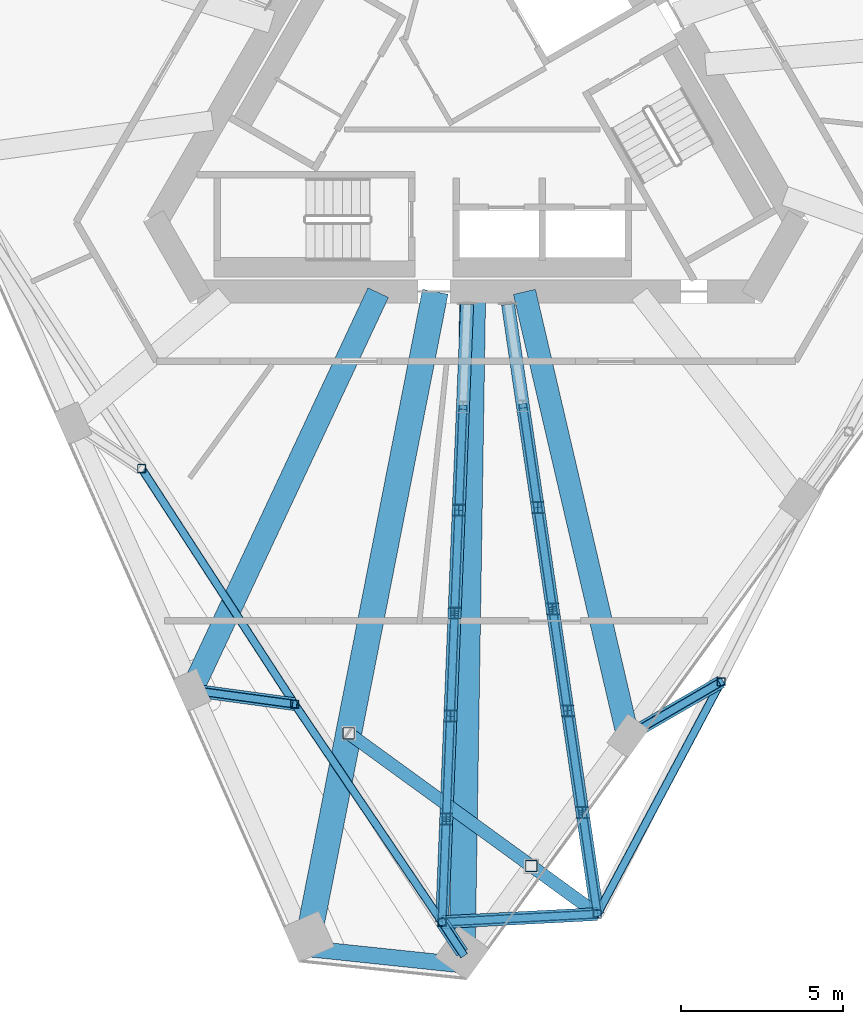
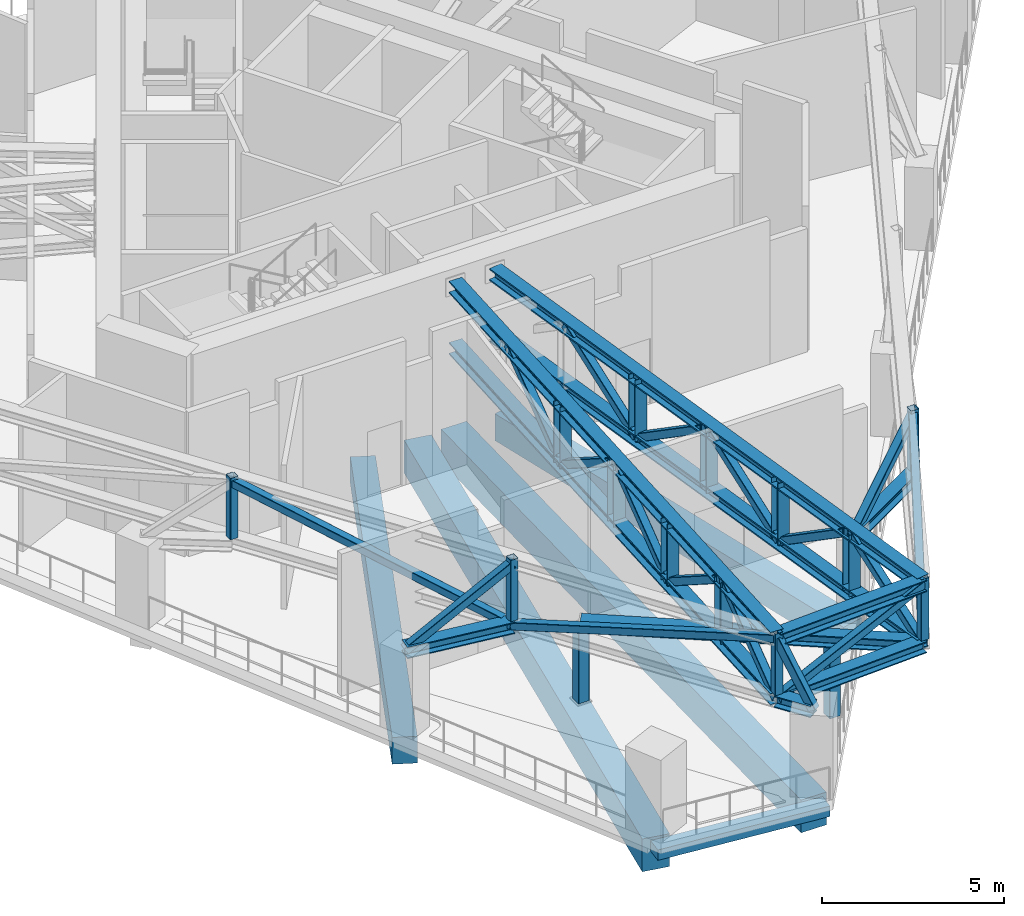
# One storey, part 2 of 20: 42 members, 5 beams.
"""IFC4 building model written with IfcOpenShell, lengths in metres."""

from ifc_helpers import new_model, si_unit, direction, frame, origin, origin_2d, place, context, subcontext, project, spatial, rectangle, hollow_rectangle, i_section, extrude, material, material_profile, profile_set, type_object, element, save


model = new_model("IFC4")

# Units and contexts
model_context = context("Model", 3, precision=1e-05, world=origin(), true_north=direction((0.0, 1.0)))
body_context = subcontext(model_context, "Body", "Model", "MODEL_VIEW")
ifc_project = project(units=[si_unit("LENGTHUNIT", "METRE"), si_unit("AREAUNIT", "SQUARE_METRE"), si_unit("VOLUMEUNIT", "CUBIC_METRE"), si_unit("PLANEANGLEUNIT", "RADIAN"), si_unit("MASSUNIT", "GRAM", prefix="KILO")], contexts=[model_context])

# Site, building, storey
site_placement = place(None, origin())
site = spatial("IfcSite", under=ifc_project, at=site_placement, CompositionType="ELEMENT")
building_placement = place(site_placement, origin())
building = spatial("IfcBuilding", under=site, at=building_placement, Name="Tramontana Tower", CompositionType="ELEMENT")
storey_placement = place(building_placement, frame((0.0, 0.0, 269.199951171875)))
storey = spatial("IfcBuildingStorey", under=building, at=storey_placement, Name="L63", CompositionType="ELEMENT", Elevation=269.199951171875)

# Members
ifc_material_1 = material(Name="Steel ASTM A500 Grade C", Category="steel")
ifc_material_profile_1 = material_profile(ifc_material_1, hollow_rectangle(XDim=0.25390625, YDim=0.25390625, WallThickness=0.01171875, InnerFilletRadius=0.01171875, OuterFilletRadius=0.023681640625, at=origin_2d()), Name="HSS10X10X1/2")
ifc_profile_set_1 = profile_set([ifc_material_profile_1], Name="Steel ASTM A500 Grade C")
member_type_1 = type_object("IfcMemberType", Name="Belt truss HSS10X10X1/2 brace", PredefinedType="BRACE", material=ifc_profile_set_1)
member_1_placement = place(storey_placement, frame((-10.3056640625, -11.855712890625, 4.65625), z_axis=(0.529835494481, -0.815842449551, -0.231679619947), x_axis=(0.838660607332, 0.544654372707, 0.0)))
element("IfcMember", 1, at=member_1_placement, inside=storey, type_object=member_type_1, Name="Belt truss diagonal S0.4", PredefinedType="BRACE", context=body_context, shape_type="SweptSolid", body=[
    extrude(hollow_rectangle(XDim=0.25390625, YDim=0.25390625, WallThickness=0.01171875, InnerFilletRadius=0.01171875, OuterFilletRadius=0.023681640625, at=origin_2d()), origin(), (0.0, 0.0, 1.0), 8.90234375),
])
member_2_placement = place(storey_placement, frame((-5.5888671875, -19.11865234375, 2.59375), z_axis=(0.542780238942, -0.80291105208, 0.246421295066), x_axis=(0.828458383633, 0.560050628593, 0.0)))
element("IfcMember", 2, at=member_2_placement, inside=storey, type_object=member_type_1, Name="Belt truss diagonal S0.5", PredefinedType="BRACE", context=body_context, shape_type="SweptSolid", body=[
    extrude(hollow_rectangle(XDim=0.25390625, YDim=0.25390625, WallThickness=0.01171875, InnerFilletRadius=0.01171875, OuterFilletRadius=0.023681640625, at=origin_2d()), origin(), (0.0, 0.0, 1.0), 8.369873046875),
])
member_3_placement = place(storey_placement, frame((3.7412109375, -25.587890625, 2.59375), z_axis=(0.455864119716, 0.855255694272, 0.24642565161), x_axis=(-0.882469556337, 0.470369516591, 0.0)))
element("IfcMember", 3, at=member_3_placement, inside=storey, type_object=member_type_1, Name="Belt truss diagonal S1.1", PredefinedType="BRACE", context=body_context, shape_type="SweptSolid", body=[
    extrude(hollow_rectangle(XDim=0.25390625, YDim=0.25390625, WallThickness=0.01171875, InnerFilletRadius=0.01171875, OuterFilletRadius=0.023681640625, at=origin_2d()), origin(), (0.0, 0.0, 1.0), 8.36962890625),
])
member_4_placement = place(storey_placement, frame((-1.0458984375, -25.8388671875, 2.59375), z_axis=(0.917324773307, 0.04809311847, 0.395224382135), x_axis=(-0.052355676209, 0.99862850108, 0.0)))
element("IfcMember", 4, at=member_4_placement, inside=storey, type_object=member_type_1, Name="Belt truss diagonal K1.1", PredefinedType="BRACE", context=body_context, shape_type="SweptSolid", body=[
    extrude(hollow_rectangle(XDim=0.25390625, YDim=0.25390625, WallThickness=0.01171875, InnerFilletRadius=0.01171875, OuterFilletRadius=0.023681640625, at=origin_2d()), origin(), (0.0, 0.0, 1.0), 5.218505859375),
])
ifc_material_2 = material(Name="Steel ASTM A500 Grade C", Category="steel")
ifc_material_profile_2 = material_profile(ifc_material_2, hollow_rectangle(XDim=0.25390625, YDim=0.25390625, WallThickness=0.01171875, InnerFilletRadius=0.01171875, OuterFilletRadius=0.023681640625, at=origin_2d()), Name="HSS10X10X1/2")
ifc_profile_set_2 = profile_set([ifc_material_profile_2], Name="Steel ASTM A500 Grade C")
member_type_2 = type_object("IfcMemberType", Name="Belt truss HSS10X10X1/2 post", PredefinedType="POST", material=ifc_profile_set_2)
for number, where, z_axis, x_axis, name in (
    (5, (-10.3056640625, -11.855712890625, 2.787353515625), (0.0, 0.0, 1.0), (1.0, 0.0, 0.0), "Belt truss post C7F03"),
    (6, (-5.5888671875, -19.11865234375, 2.787353515625), (0.0, 0.0, 1.0), (1.0, 0.0, 0.0), "Belt truss post C7F04"),
    (7, (-1.0458984375, -25.8388671875, 2.787353515625), (0.0, 0.0, 1.0), (1.0, 0.0, 0.0), "Belt truss post C7K2"),
    (8, (3.7412109375, -25.587890625, 2.787353515625), (0.0, 0.0, 1.0), (1.0, 0.0, 0.0), "Belt truss post C7K3"),
    (9, (7.556640625, -18.4296875, 2.787353515625), (0.0, 0.0, 1.0), (1.0, 0.0, 0.0), "Belt truss post C7F05"),
):
    element("IfcMember", number, at=place(storey_placement, frame(where, z_axis=z_axis, x_axis=x_axis)), inside=storey, type_object=member_type_2, Name=name, PredefinedType="POST", context=body_context, shape_type="SweptSolid", body=[
        extrude(hollow_rectangle(XDim=0.25390625, YDim=0.25390625, WallThickness=0.01171875, InnerFilletRadius=0.01171875, OuterFilletRadius=0.023681640625, at=origin_2d()), origin(), (0.0, 0.0, 1.0), 2.062744140625),
    ])
ifc_material_3 = material(Name="Steel ASTM A992 Grade 50", Category="steel")
ifc_material_profile_3 = material_profile(ifc_material_3, i_section(OverallWidth=0.39697265625, OverallDepth=0.387451171875, WebThickness=0.020751953125, FlangeThickness=0.033447265625, FilletRadius=0.01513671875, at=origin_2d()), Name="W14X176")
ifc_profile_set_3 = profile_set([ifc_material_profile_3], Name="Steel ASTM A992 Grade 50")
member_type_3 = type_object("IfcMemberType", Name="Belt truss W14X176 chord", PredefinedType="CHORD", material=ifc_profile_set_3)
for number, where, z_axis, x_axis, name in (
    (10, (-1.0458984375, -25.8388671875, 2.59375), (0.99862850108, 0.052355676209, 0.0), (-0.052355676209, 0.99862850108, 0.0), "Belt truss bottom chord K1"),
    (11, (-1.0458984375, -25.8388671875, 4.65625), (0.99862850108, 0.052355676209, 0.0), (-0.052355676209, 0.99862850108, 0.0), "Belt truss top chord K1"),
):
    element("IfcMember", number, at=place(storey_placement, frame(where, z_axis=z_axis, x_axis=x_axis)), inside=storey, type_object=member_type_3, Name=name, PredefinedType="CHORD", context=body_context, shape_type="SweptSolid", body=[
        extrude(i_section(OverallWidth=0.39697265625, OverallDepth=0.387451171875, WebThickness=0.020751953125, FlangeThickness=0.033447265625, FilletRadius=0.01513671875, at=origin_2d()), origin(), (0.0, 0.0, 1.0), 4.793701171875),
    ])

# Beams
ifc_material_4 = material(Name="Concrete 40 MPa", Category="concrete")
ifc_material_profile_4 = material_profile(ifc_material_4, rectangle(XDim=0.5, YDim=0.35009765625, at=origin_2d()), Name="RC EDGE BEAM 500X350 40 MPa")
ifc_profile_set_4 = profile_set([ifc_material_profile_4], Name="Concrete 40 MPa")
beam_type_1 = type_object("IfcBeamType", Name="RC EDGE BEAM 500X350 40 MPa", PredefinedType="SPANDREL", material=ifc_profile_set_4)
beam_1_placement = place(storey_placement, frame((-5.411376953125, -26.630126953125, -0.52490234375), z_axis=(0.994520631958, -0.104540483116, 0.0), x_axis=(0.104540483116, 0.994520631958, 0.0)))
element("IfcBeam", 12, at=beam_1_placement, inside=storey, type_object=beam_type_1, Name="Spandrel beam K1 L63", PredefinedType="SPANDREL", context=body_context, shape_type="SweptSolid", body=[
    extrude(rectangle(XDim=0.5, YDim=0.35009765625, at=origin_2d()), origin(), (0.0, 0.0, 1.0), 5.1962890625),
])
ifc_material_5 = material(Name="Concrete 40 MPa", Category="concrete")
ifc_material_profile_5 = material_profile(ifc_material_5, rectangle(XDim=0.699951171875, YDim=0.89990234375, at=origin_2d()), Name="RC GIRDER 700X900 40 MPa")
ifc_profile_set_5 = profile_set([ifc_material_profile_5], Name="Concrete 40 MPa")
beam_type_2 = type_object("IfcBeamType", Name="RC GIRDER 700X900 40 MPa", PredefinedType="BEAM", material=ifc_profile_set_5)
beam_2_placement = place(storey_placement, frame((-8.75634765625, -18.68701171875, -0.800048828125), z_axis=(0.424308147915, 0.90551786046, 0.0), x_axis=(-0.90551786046, 0.424308147915, 0.0)))
element("IfcBeam", 13, at=beam_2_placement, inside=storey, type_object=beam_type_2, Name="Radial girder C6F04 L63", PredefinedType="BEAM", context=body_context, shape_type="SweptSolid", body=[
    extrude(rectangle(XDim=0.699951171875, YDim=0.89990234375, at=origin_2d()), origin(), (0.0, 0.0, 1.0), 13.532470703125),
])
beam_3_placement = place(storey_placement, frame((4.6796875, -20.099365234375, -0.800048828125), z_axis=(-0.22676563163, 0.973949356133, 0.0), x_axis=(-0.973949356133, -0.22676563163, 0.0)))
element("IfcBeam", 14, at=beam_3_placement, inside=storey, type_object=beam_type_2, Name="Radial girder C6F05 L63", PredefinedType="BEAM", context=body_context, shape_type="SweptSolid", body=[
    extrude(rectangle(XDim=0.699951171875, YDim=0.89990234375, at=origin_2d()), origin(), (0.0, 0.0, 1.0), 14.056396484375),
])
ifc_material_6 = material(Name="Concrete 40 MPa", Category="concrete")
ifc_material_profile_6 = material_profile(ifc_material_6, rectangle(XDim=0.800048828125, YDim=1.10009765625, at=origin_2d()), Name="RC GIRDER 800X1100 40 MPa")
ifc_profile_set_6 = profile_set([ifc_material_profile_6], Name="Concrete 40 MPa")
beam_type_3 = type_object("IfcBeamType", Name="RC GIRDER 800X1100 40 MPa", PredefinedType="BEAM", material=ifc_profile_set_6)
beam_4_placement = place(storey_placement, frame((-5.154296875, -26.28564453125, -0.89990234375), z_axis=(0.192429707164, 0.981310760056, 0.0), x_axis=(-0.981310760056, 0.192429707164, 0.0)))
element("IfcBeam", 15, at=beam_4_placement, inside=storey, type_object=beam_type_3, Name="Radial girder C6K2 L63", PredefinedType="BEAM", context=body_context, shape_type="SweptSolid", body=[
    extrude(rectangle(XDim=0.800048828125, YDim=1.10009765625, at=origin_2d()), origin(), (0.0, 0.0, 1.0), 20.2578125),
])
beam_5_placement = place(storey_placement, frame((-0.42333984375, -26.78271484375, -0.89990234375), z_axis=(0.015796706362, 0.99987522425, 0.0), x_axis=(-0.99987522425, 0.015796706362, 0.0)))
element("IfcBeam", 16, at=beam_5_placement, inside=storey, type_object=beam_type_3, Name="Radial girder C6K3 L63", PredefinedType="BEAM", context=body_context, shape_type="SweptSolid", body=[
    extrude(rectangle(XDim=0.800048828125, YDim=1.10009765625, at=origin_2d()), origin(), (0.0, 0.0, 1.0), 20.38525390625),
])

# Members
ifc_material_7 = material(Name="Steel ASTM A500 Grade C", Category="steel")
ifc_material_profile_7 = material_profile(ifc_material_7, hollow_rectangle(XDim=0.25390625, YDim=0.25390625, WallThickness=0.01171875, InnerFilletRadius=0.01171875, OuterFilletRadius=0.023681640625, at=origin_2d()), Name="HSS10X10X1/2")
ifc_profile_set_7 = profile_set([ifc_material_profile_7], Name="Steel ASTM A500 Grade C")
member_type_4 = type_object("IfcMemberType", Name="Transfer truss HSS10X10X1/2 brace", PredefinedType="BRACE", material=ifc_profile_set_7)
member_5_placement = place(storey_placement, frame((-8.75634765625, -18.68701171875, 2.59375), z_axis=(0.832592276864, -0.113459468591, 0.542141171185), x_axis=(0.135024594806, 0.99084224718, 0.0)))
element("IfcMember", 17, at=member_5_placement, inside=storey, type_object=member_type_4, Name="Transfer truss strut C7F04 diagonal", PredefinedType="BRACE", context=body_context, shape_type="SweptSolid", body=[
    extrude(hollow_rectangle(XDim=0.25390625, YDim=0.25390625, WallThickness=0.01171875, InnerFilletRadius=0.01171875, OuterFilletRadius=0.023681640625, at=origin_2d()), origin(), (0.0, 0.0, 1.0), 3.804443359375),
])
member_6_placement = place(storey_placement, frame((4.6796875, -20.099365234375, 2.59375), z_axis=(0.735061031976, 0.426602375906, 0.526968397669), x_axis=(-0.50195313078, 0.864894822797, 0.0)))
element("IfcMember", 18, at=member_6_placement, inside=storey, type_object=member_type_4, Name="Transfer truss strut C7F05 diagonal", PredefinedType="BRACE", context=body_context, shape_type="SweptSolid", body=[
    extrude(hollow_rectangle(XDim=0.25390625, YDim=0.25390625, WallThickness=0.01171875, InnerFilletRadius=0.01171875, OuterFilletRadius=0.023681640625, at=origin_2d()), origin(), (0.0, 0.0, 1.0), 3.913818359375),
])
member_7_placement = place(storey_placement, frame((-0.42333984375, -26.78271484375, 2.59375), z_axis=(-0.264682996397, 0.401280181988, 0.876879197474), x_axis=(-0.8347642328, -0.550607551381, 0.0)))
element("IfcMember", 19, at=member_7_placement, inside=storey, type_object=member_type_4, Name="Transfer truss strut C7K2 diagonal", PredefinedType="BRACE", context=body_context, shape_type="SweptSolid", body=[
    extrude(hollow_rectangle(XDim=0.25390625, YDim=0.25390625, WallThickness=0.01171875, InnerFilletRadius=0.01171875, OuterFilletRadius=0.023681640625, at=origin_2d()), origin(), (0.0, 0.0, 1.0), 2.35205078125),
])
for number, where, z_axis, x_axis, name in (
    (20, (-0.402099609375, -9.96484375, 4.65625), (-0.033964643643, -0.838095305378, -0.544465482915), (0.999179832104, -0.040492753885, 0.0), "Transfer truss diagonal 1.2"),
    (21, (-0.53076171875, -13.1396484375, 2.59375), (-0.034029018122, -0.838093469062, 0.54446428996), (0.999176720405, -0.040569463886, 0.0), "Transfer truss diagonal 1.3"),
    (22, (-0.65966796875, -16.314453125, 4.65625), (-0.033964643643, -0.838095305378, -0.544465482915), (0.999179832104, -0.040492753885, 0.0), "Transfer truss diagonal 1.4"),
    (23, (-0.788330078125, -19.4892578125, 2.59375), (-0.033964643643, -0.838095305378, 0.544465482915), (0.999179832104, -0.040492753885, 0.0), "Transfer truss diagonal 1.5"),
    (24, (-0.9169921875, -22.6640625, 4.65625), (-0.034029018122, -0.838093469062, -0.54446428996), (0.999176720405, -0.040569463886, 0.0), "Transfer truss diagonal 1.6"),
):
    element("IfcMember", number, at=place(storey_placement, frame(where, z_axis=z_axis, x_axis=x_axis)), inside=storey, type_object=member_type_4, Name=name, PredefinedType="BRACE", context=body_context, shape_type="SweptSolid", body=[
        extrude(hollow_rectangle(XDim=0.25390625, YDim=0.25390625, WallThickness=0.01171875, InnerFilletRadius=0.01171875, OuterFilletRadius=0.023681640625, at=origin_2d()), origin(), (0.0, 0.0, 1.0), 3.7880859375),
    ])
member_8_placement = place(storey_placement, frame((1.44580078125, -9.923095703125, 4.65625), z_axis=(0.121464028365, -0.829056602117, -0.545812825334), x_axis=(0.989437339447, 0.144961206216, 0.0)))
element("IfcMember", 25, at=member_8_placement, inside=storey, type_object=member_type_4, Name="Transfer truss diagonal 2.2", PredefinedType="BRACE", context=body_context, shape_type="SweptSolid", body=[
    extrude(hollow_rectangle(XDim=0.25390625, YDim=0.25390625, WallThickness=0.01171875, InnerFilletRadius=0.01171875, OuterFilletRadius=0.023681640625, at=origin_2d()), origin(), (0.0, 0.0, 1.0), 3.77880859375),
])
for number, where, z_axis, x_axis, name in (
    (26, (1.90478515625, -13.055908203125, 2.59375), (0.121521173786, -0.829070294099, 0.54577930683), (0.989427899021, 0.145025627527, 0.0), "Transfer truss diagonal 2.3"),
    (27, (2.364013671875, -16.18896484375, 4.65625), (0.12145752252, -0.829076801329, -0.545783590558), (0.98943895957, 0.144950147588, 0.0), "Transfer truss diagonal 2.4"),
    (28, (2.822998046875, -19.322021484375, 2.59375), (0.12145752252, -0.829076801329, 0.545783590558), (0.98943895957, 0.144950147588, 0.0), "Transfer truss diagonal 2.5"),
):
    element("IfcMember", number, at=place(storey_placement, frame(where, z_axis=z_axis, x_axis=x_axis)), inside=storey, type_object=member_type_4, Name=name, PredefinedType="BRACE", context=body_context, shape_type="SweptSolid", body=[
        extrude(hollow_rectangle(XDim=0.25390625, YDim=0.25390625, WallThickness=0.01171875, InnerFilletRadius=0.01171875, OuterFilletRadius=0.023681640625, at=origin_2d()), origin(), (0.0, 0.0, 1.0), 3.779052734375),
    ])
member_9_placement = place(storey_placement, frame((3.281982421875, -22.455078125, 4.65625), z_axis=(0.121527682939, -0.829050094349, -0.545808540918), x_axis=(0.989426277229, 0.145036691667, 0.0)))
element("IfcMember", 29, at=member_9_placement, inside=storey, type_object=member_type_4, Name="Transfer truss diagonal 2.6", PredefinedType="BRACE", context=body_context, shape_type="SweptSolid", body=[
    extrude(hollow_rectangle(XDim=0.25390625, YDim=0.25390625, WallThickness=0.01171875, InnerFilletRadius=0.01171875, OuterFilletRadius=0.023681640625, at=origin_2d()), origin(), (0.0, 0.0, 1.0), 3.77880859375),
])
ifc_material_8 = material(Name="Steel ASTM A500 Grade C", Category="steel")
ifc_material_profile_8 = material_profile(ifc_material_8, hollow_rectangle(XDim=0.355712890625, YDim=0.355712890625, WallThickness=0.01171875, InnerFilletRadius=0.01171875, OuterFilletRadius=0.023681640625, at=origin_2d()), Name="HSS14X14X1/2")
ifc_profile_set_8 = profile_set([ifc_material_profile_8], Name="Steel ASTM A500 Grade C")
member_type_5 = type_object("IfcMemberType", Name="Transfer truss HSS14X14X1/2 post", PredefinedType="POST", material=ifc_profile_set_8)
for number, where, z_axis, x_axis, name in (
    (30, (1.704833984375, -24.108642578125, 0.0400390625), (0.0, 0.0, 1.0), (1.0, 0.0, 0.0), "Transfer truss post C7K3.1"),
    (31, (-3.92529296875, -20.01806640625, 0.0400390625), (0.0, 0.0, 1.0), (1.0, 0.0, 0.0), "Transfer truss post C7K3.2"),
):
    element("IfcMember", number, at=place(storey_placement, frame(where, z_axis=z_axis, x_axis=x_axis)), inside=storey, type_object=member_type_5, Name=name, PredefinedType="POST", context=body_context, shape_type="SweptSolid", body=[
        extrude(hollow_rectangle(XDim=0.355712890625, YDim=0.355712890625, WallThickness=0.01171875, InnerFilletRadius=0.01171875, OuterFilletRadius=0.023681640625, at=origin_2d()), origin(), (0.0, 0.0, 1.0), 2.360107421875),
    ])
ifc_material_9 = material(Name="Steel ASTM A992 Grade 50", Category="steel")
ifc_material_profile_9 = material_profile(ifc_material_9, i_section(OverallWidth=0.39697265625, OverallDepth=0.387451171875, WebThickness=0.020751953125, FlangeThickness=0.033447265625, FilletRadius=0.01513671875, at=origin_2d()), Name="W14X176")
ifc_profile_set_9 = profile_set([ifc_material_profile_9], Name="Steel ASTM A992 Grade 50")
member_type_6 = type_object("IfcMemberType", Name="Transfer truss W14X176 chord", PredefinedType="CHORD", material=ifc_profile_set_9)
member_10_placement = place(storey_placement, frame((3.7412109375, -25.587890625, 2.59375), z_axis=(-0.809027879089, 0.587770270477, 0.0), x_axis=(-0.587770270477, -0.809027879089, 0.0)))
element("IfcMember", 32, at=member_10_placement, inside=storey, type_object=member_type_6, Name="Transfer truss girder C7K3", PredefinedType="CHORD", context=body_context, shape_type="SweptSolid", body=[
    extrude(i_section(OverallWidth=0.39697265625, OverallDepth=0.387451171875, WebThickness=0.020751953125, FlangeThickness=0.033447265625, FilletRadius=0.01513671875, at=origin_2d()), origin(), (0.0, 0.0, 1.0), 9.47607421875),
])
ifc_material_10 = material(Name="Steel ASTM A992 Grade 50", Category="steel")
ifc_material_profile_10 = material_profile(ifc_material_10, i_section(OverallWidth=0.39697265625, OverallDepth=0.387451171875, WebThickness=0.020751953125, FlangeThickness=0.033447265625, FilletRadius=0.01513671875, at=origin_2d()), Name="W14X176")
ifc_profile_set_10 = profile_set([ifc_material_profile_10], Name="Steel ASTM A992 Grade 50")
member_type_7 = type_object("IfcMemberType", Name="Transfer truss W14X176 strut", PredefinedType="STRUT", material=ifc_profile_set_10)
member_11_placement = place(storey_placement, frame((-8.75634765625, -18.68701171875, 2.59375), z_axis=(0.99084224718, -0.135024594806, 0.0), x_axis=(0.135024594806, 0.99084224718, 0.0)))
element("IfcMember", 33, at=member_11_placement, inside=storey, type_object=member_type_7, Name="Transfer truss strut C7F04 bottom", PredefinedType="STRUT", context=body_context, shape_type="SweptSolid", body=[
    extrude(i_section(OverallWidth=0.39697265625, OverallDepth=0.387451171875, WebThickness=0.020751953125, FlangeThickness=0.033447265625, FilletRadius=0.01513671875, at=origin_2d()), origin(), (0.0, 0.0, 1.0), 3.19677734375),
])
member_12_placement = place(storey_placement, frame((4.6796875, -20.099365234375, 2.59375), z_axis=(0.864894822797, 0.50195313078, 0.0), x_axis=(-0.50195313078, 0.864894822797, 0.0)))
element("IfcMember", 34, at=member_12_placement, inside=storey, type_object=member_type_7, Name="Transfer truss strut C7F05 bottom", PredefinedType="STRUT", context=body_context, shape_type="SweptSolid", body=[
    extrude(i_section(OverallWidth=0.39697265625, OverallDepth=0.387451171875, WebThickness=0.020751953125, FlangeThickness=0.033447265625, FilletRadius=0.01513671875, at=origin_2d()), origin(), (0.0, 0.0, 1.0), 3.326416015625),
])
member_13_placement = place(storey_placement, frame((-0.42333984375, -26.78271484375, 2.59375), z_axis=(-0.550607551381, 0.8347642328, 0.0), x_axis=(-0.8347642328, -0.550607551381, 0.0)))
element("IfcMember", 35, at=member_13_placement, inside=storey, type_object=member_type_7, Name="Transfer truss strut C7K2 bottom", PredefinedType="STRUT", context=body_context, shape_type="SweptSolid", body=[
    extrude(i_section(OverallWidth=0.39697265625, OverallDepth=0.387451171875, WebThickness=0.020751953125, FlangeThickness=0.033447265625, FilletRadius=0.01513671875, at=origin_2d()), origin(), (0.0, 0.0, 1.0), 1.130615234375),
])
ifc_material_11 = material(Name="Steel ASTM A992 Grade 50", Category="steel")
ifc_material_profile_11 = material_profile(ifc_material_11, i_section(OverallWidth=0.4033203125, OverallDepth=0.406494140625, WebThickness=0.027099609375, FlangeThickness=0.04443359375, FilletRadius=0.01513671875, at=origin_2d()), Name="W14X233")
ifc_profile_set_11 = profile_set([ifc_material_profile_11], Name="Steel ASTM A992 Grade 50")
member_type_8 = type_object("IfcMemberType", Name="Transfer truss W14X233 chord", PredefinedType="CHORD", material=ifc_profile_set_11)
for number, where, z_axis, x_axis, name in (
    (36, (-0.273193359375, -6.7900390625, 2.59375), (-0.040531108975, -0.999178276988, 0.0), (0.999178276988, -0.040531108975, 0.0), "Transfer truss bottom chord 1"),
    (37, (-0.273193359375, -6.7900390625, 4.65625), (-0.040531108975, -0.999178276988, 0.0), (0.999178276988, -0.040531108975, 0.0), "Transfer truss top chord 1"),
):
    element("IfcMember", number, at=place(storey_placement, frame(where, z_axis=z_axis, x_axis=x_axis)), inside=storey, type_object=member_type_8, Name=name, PredefinedType="CHORD", context=body_context, shape_type="SweptSolid", body=[
        extrude(i_section(OverallWidth=0.4033203125, OverallDepth=0.406494140625, WebThickness=0.027099609375, FlangeThickness=0.04443359375, FilletRadius=0.01513671875, at=origin_2d()), origin(), (0.0, 0.0, 1.0), 19.064453125),
    ])
for number, where, z_axis, x_axis, name in (
    (38, (0.98681640625, -6.7900390625, 2.59375), (0.144978994485, -0.989434733147, 0.0), (0.989434733147, 0.144978994485, 0.0), "Transfer truss bottom chord 2"),
    (39, (0.98681640625, -6.7900390625, 4.65625), (0.144978994485, -0.989434733147, 0.0), (0.989434733147, 0.144978994485, 0.0), "Transfer truss top chord 2"),
):
    element("IfcMember", number, at=place(storey_placement, frame(where, z_axis=z_axis, x_axis=x_axis)), inside=storey, type_object=member_type_8, Name=name, PredefinedType="CHORD", context=body_context, shape_type="SweptSolid", body=[
        extrude(i_section(OverallWidth=0.4033203125, OverallDepth=0.406494140625, WebThickness=0.027099609375, FlangeThickness=0.04443359375, FilletRadius=0.01513671875, at=origin_2d()), origin(), (0.0, 0.0, 1.0), 18.99853515625),
    ])
ifc_material_12 = material(Name="Steel ASTM A992 Grade 50", Category="steel")
ifc_material_profile_12 = material_profile(ifc_material_12, i_section(OverallWidth=0.368408203125, OverallDepth=0.355712890625, WebThickness=0.01123046875, FlangeThickness=0.017578125, FilletRadius=0.01513671875, at=origin_2d()), Name="W14X90")
ifc_profile_set_12 = profile_set([ifc_material_profile_12], Name="Steel ASTM A992 Grade 50")
member_type_9 = type_object("IfcMemberType", Name="Transfer truss W14X90 post", PredefinedType="POST", material=ifc_profile_set_12)
for number, where, z_axis, x_axis, name in (
    (40, (-0.53076171875, -13.1396484375, 2.59375), (0.0, 0.0, 1.0), (1.0, 0.0, 0.0), "Transfer truss post 1.2"),
    (41, (-0.65966796875, -16.314453125, 2.59375), (0.0, 0.0, 1.0), (1.0, 0.0, 0.0), "Transfer truss post 1.3"),
    (42, (-0.788330078125, -19.4892578125, 2.59375), (0.0, 0.0, 1.0), (1.0, 0.0, 0.0), "Transfer truss post 1.4"),
    (43, (-0.9169921875, -22.6640625, 2.59375), (0.0, 0.0, 1.0), (1.0, 0.0, 0.0), "Transfer truss post 1.5"),
    (44, (1.90478515625, -13.055908203125, 2.59375), (0.0, 0.0, 1.0), (1.0, 0.0, 0.0), "Transfer truss post 2.2"),
    (45, (2.364013671875, -16.18896484375, 2.59375), (0.0, 0.0, 1.0), (1.0, 0.0, 0.0), "Transfer truss post 2.3"),
    (46, (2.822998046875, -19.322021484375, 2.59375), (0.0, 0.0, 1.0), (1.0, 0.0, 0.0), "Transfer truss post 2.4"),
    (47, (3.281982421875, -22.455078125, 2.59375), (0.0, 0.0, 1.0), (1.0, 0.0, 0.0), "Transfer truss post 2.5"),
):
    element("IfcMember", number, at=place(storey_placement, frame(where, z_axis=z_axis, x_axis=x_axis)), inside=storey, type_object=member_type_9, Name=name, PredefinedType="POST", context=body_context, shape_type="SweptSolid", body=[
        extrude(i_section(OverallWidth=0.368408203125, OverallDepth=0.355712890625, WebThickness=0.01123046875, FlangeThickness=0.017578125, FilletRadius=0.01513671875, at=origin_2d()), origin(), (0.0, 0.0, 1.0), 2.0625),
    ])

save(model, "model.ifc")
